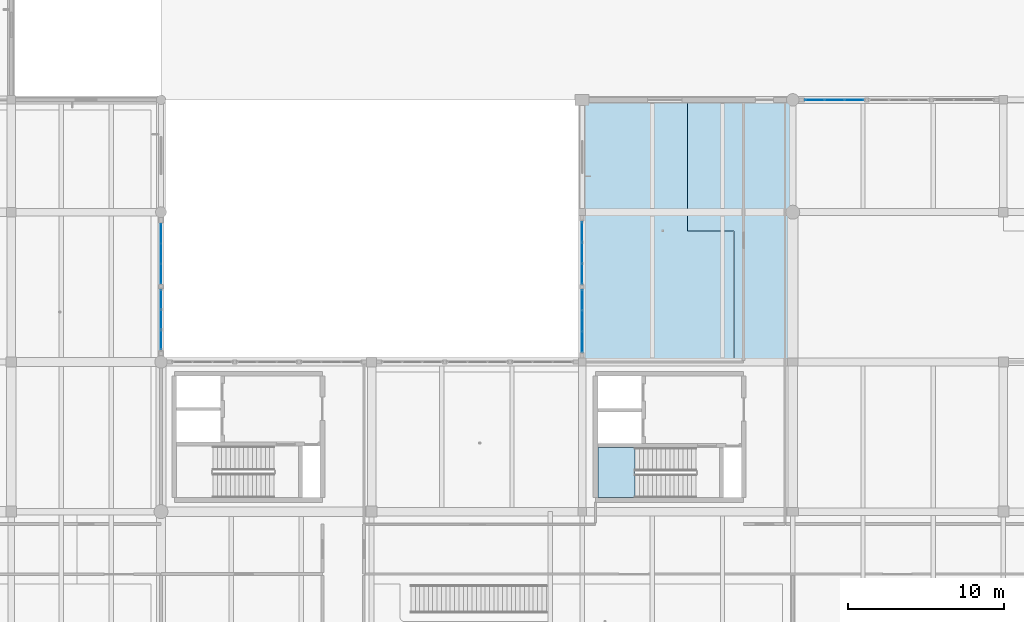
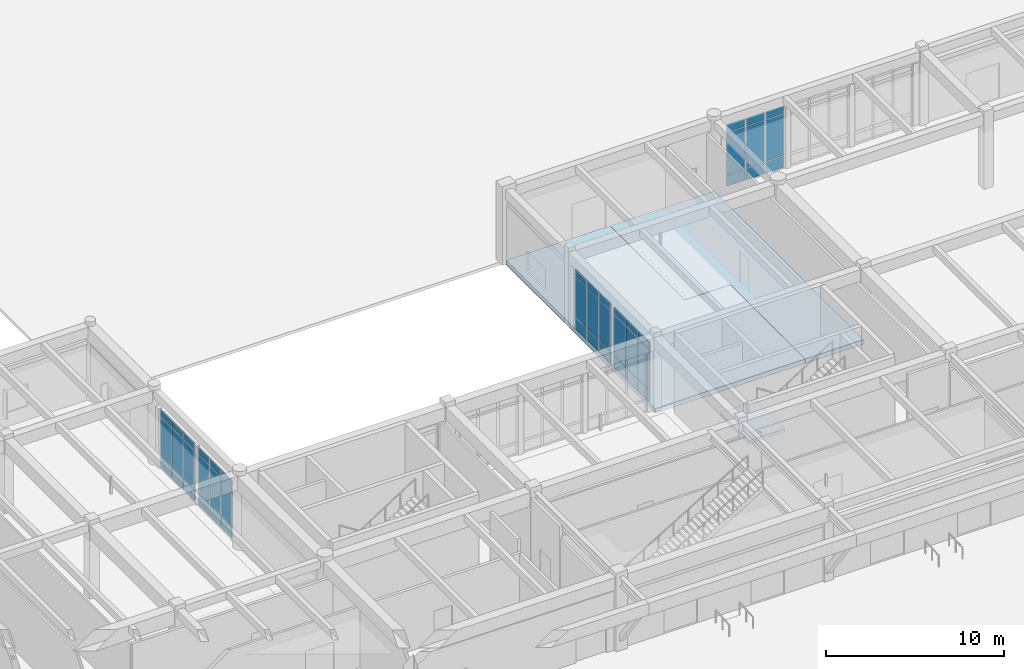
# One storey, part 89 of 138: 45 plates, 3 slabs, 6 elements without a shape of their own.
"""IFC4 building model written with IfcOpenShell, lengths in metres."""

from ifc_helpers import new_model, si_unit, direction, frame, origin, origin_2d, place, context, subcontext, project, spatial, polyline, rectangle, outline, extrude, material, layer, layer_set, type_object, element, aggregate, save


model = new_model("IFC4")

# Units and contexts
model_context = context("Model", 3, precision=1e-05, world=origin(), true_north=direction((0.0, 1.0)))
body_context = subcontext(model_context, "Body", "Model", "MODEL_VIEW")
ifc_project = project(units=[si_unit("LENGTHUNIT", "METRE"), si_unit("AREAUNIT", "SQUARE_METRE"), si_unit("VOLUMEUNIT", "CUBIC_METRE"), si_unit("PLANEANGLEUNIT", "RADIAN"), si_unit("MASSUNIT", "GRAM", prefix="KILO")], contexts=[model_context])

# Site, building, storey
site_placement = place(None, origin())
site = spatial("IfcSite", under=ifc_project, at=site_placement, CompositionType="ELEMENT")
building_placement = place(site_placement, origin())
building = spatial("IfcBuilding", under=site, at=building_placement, Name="Fikremerkos Civic Library", CompositionType="ELEMENT")
storey_placement = place(building_placement, origin())
storey = spatial("IfcBuildingStorey", under=building, at=storey_placement, Name="L00", CompositionType="ELEMENT", Elevation=0.0)

# Curtain wall, plates
ifc_material_1 = material(Name="Anodized aluminium Frame", Category="aluminium")
ifc_layer_1 = layer(ifc_material_1, 0.159912109375, Name="Anodized aluminium Frame")
ifc_layer_set_1 = layer_set([ifc_layer_1], Name="Anodized aluminium Frame")
curtain_wall_type_1 = type_object("IfcCurtainWallType", Name="Unitised curtain wall CW-05 3800x4100", PredefinedType="USERDEFINED", material=ifc_layer_set_1)
curtain_wall_1_placement = place(storey_placement, origin())
curtain_wall_1 = element("IfcCurtainWall", 1, at=curtain_wall_1_placement, inside=storey, type_object=curtain_wall_type_1, Name="Unitised curtain wall CW-05 L00 #5", ObjectType="UNITISED CURTAIN WALL", PredefinedType="USERDEFINED")
ifc_material_2 = material(Name="Solar control double glazing", Category="glass")
ifc_layer_2 = layer(ifc_material_2, 0.028076171875, Name="Solar control double glazing")
ifc_layer_set_2 = layer_set([ifc_layer_2], Name="Solar control double glazing")
plate_type_1 = type_object("IfcPlateType", Name="Curtain glazing panel CWP-01 28", PredefinedType="CURTAIN_PANEL", material=ifc_layer_set_2)
plate_1_placement = place(storey_placement, frame((19.199951171875, 35.204345703125, 0.06005859375), z_axis=(0.0, 0.0, 1.0), x_axis=(0.0, -1.0, 0.0)))
plate_1 = element("IfcPlate", 2, at=plate_1_placement, type_object=plate_type_1, Name="CW-05 panel 1.1", PredefinedType="CURTAIN_PANEL", context=body_context, shape_type="SweptSolid", body=[
    extrude(rectangle(XDim=1.21142578125, YDim=0.028076171875, at=origin_2d()), origin(), (0.0, 0.0, 1.0), 0.760009765625),
])
plate_2_placement = place(storey_placement, frame((19.199951171875, 35.204345703125, 0.8798828125), z_axis=(0.0, 0.0, 1.0), x_axis=(0.0, -1.0, 0.0)))
plate_2 = element("IfcPlate", 3, at=plate_2_placement, type_object=plate_type_1, Name="CW-05 panel 1.2", PredefinedType="CURTAIN_PANEL", context=body_context, shape_type="SweptSolid", body=[
    extrude(rectangle(XDim=1.21142578125, YDim=0.028076171875, at=origin_2d()), origin(), (0.0, 0.0, 1.0), 2.610107421875),
])
plate_3_placement = place(storey_placement, frame((19.199951171875, 35.204345703125, 3.550048828125), z_axis=(0.0, 0.0, 1.0), x_axis=(0.0, -1.0, 0.0)))
plate_3 = element("IfcPlate", 4, at=plate_3_placement, type_object=plate_type_1, Name="CW-05 panel 1.3", PredefinedType="CURTAIN_PANEL", context=body_context, shape_type="SweptSolid", body=[
    extrude(rectangle(XDim=1.21142578125, YDim=0.028076171875, at=origin_2d()), origin(), (0.0, 0.0, 1.0), 0.4599609375),
])
plate_4_placement = place(storey_placement, frame((19.199951171875, 33.91162109375, 0.06005859375), z_axis=(0.0, 0.0, 1.0), x_axis=(0.0, -1.0, 0.0)))
plate_4 = element("IfcPlate", 5, at=plate_4_placement, type_object=plate_type_1, Name="CW-05 panel 2.1", PredefinedType="CURTAIN_PANEL", context=body_context, shape_type="SweptSolid", body=[
    extrude(rectangle(XDim=1.243896484375, YDim=0.028076171875, at=origin_2d()), origin(), (0.0, 0.0, 1.0), 0.760009765625),
])
plate_5_placement = place(storey_placement, frame((19.199951171875, 33.91162109375, 0.8798828125), z_axis=(0.0, 0.0, 1.0), x_axis=(0.0, -1.0, 0.0)))
plate_5 = element("IfcPlate", 6, at=plate_5_placement, type_object=plate_type_1, Name="CW-05 panel 2.2", PredefinedType="CURTAIN_PANEL", context=body_context, shape_type="SweptSolid", body=[
    extrude(rectangle(XDim=1.243896484375, YDim=0.028076171875, at=origin_2d()), origin(), (0.0, 0.0, 1.0), 2.610107421875),
])
plate_6_placement = place(storey_placement, frame((19.199951171875, 33.91162109375, 3.550048828125), z_axis=(0.0, 0.0, 1.0), x_axis=(0.0, -1.0, 0.0)))
plate_6 = element("IfcPlate", 7, at=plate_6_placement, type_object=plate_type_1, Name="CW-05 panel 2.3", PredefinedType="CURTAIN_PANEL", context=body_context, shape_type="SweptSolid", body=[
    extrude(rectangle(XDim=1.243896484375, YDim=0.028076171875, at=origin_2d()), origin(), (0.0, 0.0, 1.0), 0.4599609375),
])
plate_7_placement = place(storey_placement, frame((19.199951171875, 32.61865234375, 0.06005859375), z_axis=(0.0, 0.0, 1.0), x_axis=(0.0, -1.0, 0.0)))
plate_7 = element("IfcPlate", 8, at=plate_7_placement, type_object=plate_type_1, Name="CW-05 panel 3.1", PredefinedType="CURTAIN_PANEL", context=body_context, shape_type="SweptSolid", body=[
    extrude(rectangle(XDim=1.21142578125, YDim=0.028076171875, at=origin_2d()), origin(), (0.0, 0.0, 1.0), 0.760009765625),
])
plate_8_placement = place(storey_placement, frame((19.199951171875, 32.61865234375, 0.8798828125), z_axis=(0.0, 0.0, 1.0), x_axis=(0.0, -1.0, 0.0)))
plate_8 = element("IfcPlate", 9, at=plate_8_placement, type_object=plate_type_1, Name="CW-05 panel 3.2", PredefinedType="CURTAIN_PANEL", context=body_context, shape_type="SweptSolid", body=[
    extrude(rectangle(XDim=1.21142578125, YDim=0.028076171875, at=origin_2d()), origin(), (0.0, 0.0, 1.0), 2.610107421875),
])
plate_9_placement = place(storey_placement, frame((19.199951171875, 32.61865234375, 3.550048828125), z_axis=(0.0, 0.0, 1.0), x_axis=(0.0, -1.0, 0.0)))
plate_9 = element("IfcPlate", 10, at=plate_9_placement, type_object=plate_type_1, Name="CW-05 panel 3.3", PredefinedType="CURTAIN_PANEL", context=body_context, shape_type="SweptSolid", body=[
    extrude(rectangle(XDim=1.21142578125, YDim=0.028076171875, at=origin_2d()), origin(), (0.0, 0.0, 1.0), 0.4599609375),
])
aggregate(curtain_wall_1, [plate_1, plate_2, plate_3, plate_4, plate_5, plate_6, plate_7, plate_8, plate_9])

ifc_layer_3 = layer(ifc_material_1, 0.159912109375, Name="Anodized aluminium Frame")
ifc_layer_set_3 = layer_set([ifc_layer_3], Name="Anodized aluminium Frame")
curtain_wall_type_2 = type_object("IfcCurtainWallType", Name="Unitised curtain wall CW-13 3700x3200", PredefinedType="USERDEFINED", material=ifc_layer_set_3)
curtain_wall_2_placement = place(storey_placement, origin())
curtain_wall_2 = element("IfcCurtainWall", 11, at=curtain_wall_2_placement, inside=storey, type_object=curtain_wall_type_2, Name="Unitised curtain wall CW-13 L00 #13", ObjectType="UNITISED CURTAIN WALL", PredefinedType="USERDEFINED")
plate_10_placement = place(storey_placement, frame((46.199951171875, 36.856201171875, 0.06005859375), z_axis=(0.0, 0.0, 1.0), x_axis=(0.0, 1.0, 0.0)))
plate_10 = element("IfcPlate", 12, at=plate_10_placement, type_object=plate_type_1, Name="CW-13 panel 1.1", PredefinedType="CURTAIN_PANEL", context=body_context, shape_type="SweptSolid", body=[
    extrude(rectangle(XDim=1.25732421875, YDim=0.028076171875, at=origin_2d()), origin(), (0.0, 0.0, 1.0), 0.760009765625),
])
plate_11_placement = place(storey_placement, frame((46.199951171875, 36.856201171875, 0.8798828125), z_axis=(0.0, 0.0, 1.0), x_axis=(0.0, 1.0, 0.0)))
plate_11 = element("IfcPlate", 13, at=plate_11_placement, type_object=plate_type_1, Name="CW-13 panel 1.2", PredefinedType="CURTAIN_PANEL", context=body_context, shape_type="SweptSolid", body=[
    extrude(rectangle(XDim=1.25732421875, YDim=0.028076171875, at=origin_2d()), origin(), (0.0, 0.0, 1.0), 2.760009765625),
])
plate_12_placement = place(storey_placement, frame((46.199951171875, 36.856201171875, 3.699951171875), z_axis=(0.0, 0.0, 1.0), x_axis=(0.0, 1.0, 0.0)))
plate_12 = element("IfcPlate", 14, at=plate_12_placement, type_object=plate_type_1, Name="CW-13 panel 1.3", PredefinedType="CURTAIN_PANEL", context=body_context, shape_type="SweptSolid", body=[
    extrude(rectangle(XDim=1.25732421875, YDim=0.028076171875, at=origin_2d()), origin(), (0.0, 0.0, 1.0), 0.4599609375),
])
plate_13_placement = place(storey_placement, frame((46.199951171875, 38.19482421875, 0.06005859375), z_axis=(0.0, 0.0, 1.0), x_axis=(0.0, 1.0, 0.0)))
plate_13 = element("IfcPlate", 15, at=plate_13_placement, type_object=plate_type_1, Name="CW-13 panel 2.1", PredefinedType="CURTAIN_PANEL", context=body_context, shape_type="SweptSolid", body=[
    extrude(rectangle(XDim=1.289794921875, YDim=0.028076171875, at=origin_2d()), origin(), (0.0, 0.0, 1.0), 0.760009765625),
])
plate_14_placement = place(storey_placement, frame((46.199951171875, 38.19482421875, 0.8798828125), z_axis=(0.0, 0.0, 1.0), x_axis=(0.0, 1.0, 0.0)))
plate_14 = element("IfcPlate", 16, at=plate_14_placement, type_object=plate_type_1, Name="CW-13 panel 2.2", PredefinedType="CURTAIN_PANEL", context=body_context, shape_type="SweptSolid", body=[
    extrude(rectangle(XDim=1.289794921875, YDim=0.028076171875, at=origin_2d()), origin(), (0.0, 0.0, 1.0), 2.760009765625),
])
plate_15_placement = place(storey_placement, frame((46.199951171875, 38.19482421875, 3.699951171875), z_axis=(0.0, 0.0, 1.0), x_axis=(0.0, 1.0, 0.0)))
plate_15 = element("IfcPlate", 17, at=plate_15_placement, type_object=plate_type_1, Name="CW-13 panel 2.3", PredefinedType="CURTAIN_PANEL", context=body_context, shape_type="SweptSolid", body=[
    extrude(rectangle(XDim=1.289794921875, YDim=0.028076171875, at=origin_2d()), origin(), (0.0, 0.0, 1.0), 0.4599609375),
])
plate_16_placement = place(storey_placement, frame((46.199951171875, 39.533447265625, 0.06005859375), z_axis=(0.0, 0.0, 1.0), x_axis=(0.0, 1.0, 0.0)))
plate_16 = element("IfcPlate", 18, at=plate_16_placement, type_object=plate_type_1, Name="CW-13 panel 3.1", PredefinedType="CURTAIN_PANEL", context=body_context, shape_type="SweptSolid", body=[
    extrude(rectangle(XDim=1.25732421875, YDim=0.028076171875, at=origin_2d()), origin(), (0.0, 0.0, 1.0), 0.760009765625),
])
plate_17_placement = place(storey_placement, frame((46.199951171875, 39.533447265625, 0.8798828125), z_axis=(0.0, 0.0, 1.0), x_axis=(0.0, 1.0, 0.0)))
plate_17 = element("IfcPlate", 19, at=plate_17_placement, type_object=plate_type_1, Name="CW-13 panel 3.2", PredefinedType="CURTAIN_PANEL", context=body_context, shape_type="SweptSolid", body=[
    extrude(rectangle(XDim=1.25732421875, YDim=0.028076171875, at=origin_2d()), origin(), (0.0, 0.0, 1.0), 2.760009765625),
])
plate_18_placement = place(storey_placement, frame((46.199951171875, 39.533447265625, 3.699951171875), z_axis=(0.0, 0.0, 1.0), x_axis=(0.0, 1.0, 0.0)))
plate_18 = element("IfcPlate", 20, at=plate_18_placement, type_object=plate_type_1, Name="CW-13 panel 3.3", PredefinedType="CURTAIN_PANEL", context=body_context, shape_type="SweptSolid", body=[
    extrude(rectangle(XDim=1.25732421875, YDim=0.028076171875, at=origin_2d()), origin(), (0.0, 0.0, 1.0), 0.4599609375),
])
aggregate(curtain_wall_2, [plate_10, plate_11, plate_12, plate_13, plate_14, plate_15, plate_16, plate_17, plate_18])

ifc_layer_4 = layer(ifc_material_1, 0.159912109375, Name="Anodized aluminium Frame")
ifc_layer_set_4 = layer_set([ifc_layer_4], Name="Anodized aluminium Frame")
curtain_wall_type_3 = type_object("IfcCurtainWallType", Name="Unitised curtain wall CW-14 4100x3200", PredefinedType="USERDEFINED", material=ifc_layer_set_4)
curtain_wall_3_placement = place(storey_placement, origin())
curtain_wall_3 = element("IfcCurtainWall", 21, at=curtain_wall_3_placement, inside=storey, type_object=curtain_wall_type_3, Name="Unitised curtain wall CW-14 L00 #14", ObjectType="UNITISED CURTAIN WALL", PredefinedType="USERDEFINED")
ifc_layer_5 = layer(ifc_material_2, 0.035888671875, Name="Solar control double glazing")
ifc_layer_set_5 = layer_set([ifc_layer_5], Name="Solar control double glazing")
plate_type_2 = type_object("IfcPlateType", Name="Curtain glazing panel CWP-02 36", PredefinedType="CURTAIN_PANEL", material=ifc_layer_set_5)
plate_19_placement = place(storey_placement, frame((61.103515625, 48.0, 0.06005859375), z_axis=(0.0, 0.0, 1.0), x_axis=(1.0, 0.0, 0.0)))
plate_19 = element("IfcPlate", 22, at=plate_19_placement, type_object=plate_type_2, Name="CW-14 panel 1.1", PredefinedType="CURTAIN_PANEL", context=body_context, shape_type="SweptSolid", body=[
    extrude(rectangle(XDim=1.19091796875, YDim=0.035888671875, at=origin_2d()), origin(), (0.0, 0.0, 1.0), 0.760009765625),
])
plate_20_placement = place(storey_placement, frame((61.103515625, 48.0, 0.8798828125), z_axis=(0.0, 0.0, 1.0), x_axis=(1.0, 0.0, 0.0)))
plate_20 = element("IfcPlate", 23, at=plate_20_placement, type_object=plate_type_2, Name="CW-14 panel 1.2", PredefinedType="CURTAIN_PANEL", context=body_context, shape_type="SweptSolid", body=[
    extrude(rectangle(XDim=1.19091796875, YDim=0.035888671875, at=origin_2d()), origin(), (0.0, 0.0, 1.0), 2.830078125),
])
plate_21_placement = place(storey_placement, frame((61.103515625, 48.0, 3.77001953125), z_axis=(0.0, 0.0, 1.0), x_axis=(1.0, 0.0, 0.0)))
plate_21 = element("IfcPlate", 24, at=plate_21_placement, type_object=plate_type_2, Name="CW-14 panel 1.3", PredefinedType="CURTAIN_PANEL", context=body_context, shape_type="SweptSolid", body=[
    extrude(rectangle(XDim=1.19091796875, YDim=0.035888671875, at=origin_2d()), origin(), (0.0, 0.0, 1.0), 0.4599609375),
])
plate_22_placement = place(storey_placement, frame((62.369384765625, 48.0, 0.06005859375), z_axis=(0.0, 0.0, 1.0), x_axis=(1.0, 0.0, 0.0)))
plate_22 = element("IfcPlate", 25, at=plate_22_placement, type_object=plate_type_2, Name="CW-14 panel 2.1", PredefinedType="CURTAIN_PANEL", context=body_context, shape_type="SweptSolid", body=[
    extrude(rectangle(XDim=1.220947265625, YDim=0.035888671875, at=origin_2d()), origin(), (0.0, 0.0, 1.0), 0.760009765625),
])
plate_23_placement = place(storey_placement, frame((62.369384765625, 48.0, 0.8798828125), z_axis=(0.0, 0.0, 1.0), x_axis=(1.0, 0.0, 0.0)))
plate_23 = element("IfcPlate", 26, at=plate_23_placement, type_object=plate_type_2, Name="CW-14 panel 2.2", PredefinedType="CURTAIN_PANEL", context=body_context, shape_type="SweptSolid", body=[
    extrude(rectangle(XDim=1.220947265625, YDim=0.035888671875, at=origin_2d()), origin(), (0.0, 0.0, 1.0), 2.830078125),
])
plate_24_placement = place(storey_placement, frame((62.369384765625, 48.0, 3.77001953125), z_axis=(0.0, 0.0, 1.0), x_axis=(1.0, 0.0, 0.0)))
plate_24 = element("IfcPlate", 27, at=plate_24_placement, type_object=plate_type_2, Name="CW-14 panel 2.3", PredefinedType="CURTAIN_PANEL", context=body_context, shape_type="SweptSolid", body=[
    extrude(rectangle(XDim=1.220947265625, YDim=0.035888671875, at=origin_2d()), origin(), (0.0, 0.0, 1.0), 0.4599609375),
])
plate_25_placement = place(storey_placement, frame((63.635498046875, 48.0, 0.06005859375), z_axis=(0.0, 0.0, 1.0), x_axis=(1.0, 0.0, 0.0)))
plate_25 = element("IfcPlate", 28, at=plate_25_placement, type_object=plate_type_2, Name="CW-14 panel 3.1", PredefinedType="CURTAIN_PANEL", context=body_context, shape_type="SweptSolid", body=[
    extrude(rectangle(XDim=1.19091796875, YDim=0.035888671875, at=origin_2d()), origin(), (0.0, 0.0, 1.0), 0.760009765625),
])
plate_26_placement = place(storey_placement, frame((63.635498046875, 48.0, 0.8798828125), z_axis=(0.0, 0.0, 1.0), x_axis=(1.0, 0.0, 0.0)))
plate_26 = element("IfcPlate", 29, at=plate_26_placement, type_object=plate_type_2, Name="CW-14 panel 3.2", PredefinedType="CURTAIN_PANEL", context=body_context, shape_type="SweptSolid", body=[
    extrude(rectangle(XDim=1.19091796875, YDim=0.035888671875, at=origin_2d()), origin(), (0.0, 0.0, 1.0), 2.830078125),
])
plate_27_placement = place(storey_placement, frame((63.635498046875, 48.0, 3.77001953125), z_axis=(0.0, 0.0, 1.0), x_axis=(1.0, 0.0, 0.0)))
plate_27 = element("IfcPlate", 30, at=plate_27_placement, type_object=plate_type_2, Name="CW-14 panel 3.3", PredefinedType="CURTAIN_PANEL", context=body_context, shape_type="SweptSolid", body=[
    extrude(rectangle(XDim=1.19091796875, YDim=0.035888671875, at=origin_2d()), origin(), (0.0, 0.0, 1.0), 0.4599609375),
])
aggregate(curtain_wall_3, [plate_19, plate_20, plate_21, plate_22, plate_23, plate_24, plate_25, plate_26, plate_27])

ifc_layer_6 = layer(ifc_material_1, 0.159912109375, Name="Anodized aluminium Frame")
ifc_layer_set_6 = layer_set([ifc_layer_6], Name="Anodized aluminium Frame")
curtain_wall_type_4 = type_object("IfcCurtainWallType", Name="Unitised curtain wall CW-04 3400x3600", PredefinedType="USERDEFINED", material=ifc_layer_set_6)
curtain_wall_4_placement = place(storey_placement, origin())
curtain_wall_4 = element("IfcCurtainWall", 31, at=curtain_wall_4_placement, inside=storey, type_object=curtain_wall_type_4, Name="Unitised curtain wall CW-04 L00 #4", ObjectType="UNITISED CURTAIN WALL", PredefinedType="USERDEFINED")
ifc_material_3 = material(Name="Insulated aluminium spandrel", Category="aluminium")
ifc_layer_7 = layer(ifc_material_3, 0.054931640625, Name="Insulated aluminium spandrel")
ifc_layer_set_7 = layer_set([ifc_layer_7], Name="Insulated aluminium spandrel")
plate_type_3 = type_object("IfcPlateType", Name="Curtain spandrel panel CSP-02 55", PredefinedType="CURTAIN_PANEL", material=ifc_layer_set_7)
plate_28_placement = place(storey_placement, frame((19.199951171875, 39.4326171875, 0.06494140625), z_axis=(0.0, 0.0, 1.0), x_axis=(0.0, -1.0, 0.0)))
plate_28 = element("IfcPlate", 32, at=plate_28_placement, type_object=plate_type_3, Name="CW-04 panel 1.1", PredefinedType="CURTAIN_PANEL", context=body_context, shape_type="SweptSolid", body=[
    extrude(rectangle(XDim=1.218994140625, YDim=0.054931640625, at=origin_2d()), origin(), (0.0, 0.0, 1.0), 0.75244140625),
])
plate_29_placement = place(storey_placement, frame((19.199951171875, 39.4326171875, 0.882568359375), z_axis=(0.0, 0.0, 1.0), x_axis=(0.0, -1.0, 0.0)))
plate_29 = element("IfcPlate", 33, at=plate_29_placement, type_object=plate_type_3, Name="CW-04 panel 1.2", PredefinedType="CURTAIN_PANEL", context=body_context, shape_type="SweptSolid", body=[
    extrude(rectangle(XDim=1.218994140625, YDim=0.054931640625, at=origin_2d()), origin(), (0.0, 0.0, 1.0), 2.60498046875),
])
plate_30_placement = place(storey_placement, frame((19.199951171875, 39.4326171875, 3.552734375), z_axis=(0.0, 0.0, 1.0), x_axis=(0.0, -1.0, 0.0)))
plate_30 = element("IfcPlate", 34, at=plate_30_placement, type_object=plate_type_3, Name="CW-04 panel 1.3", PredefinedType="CURTAIN_PANEL", context=body_context, shape_type="SweptSolid", body=[
    extrude(rectangle(XDim=1.218994140625, YDim=0.054931640625, at=origin_2d()), origin(), (0.0, 0.0, 1.0), 0.452392578125),
])
plate_31_placement = place(storey_placement, frame((19.199951171875, 38.138427734375, 0.06494140625), z_axis=(0.0, 0.0, 1.0), x_axis=(0.0, -1.0, 0.0)))
plate_31 = element("IfcPlate", 35, at=plate_31_placement, type_object=plate_type_3, Name="CW-04 panel 2.1", PredefinedType="CURTAIN_PANEL", context=body_context, shape_type="SweptSolid", body=[
    extrude(rectangle(XDim=1.2490234375, YDim=0.054931640625, at=origin_2d()), origin(), (0.0, 0.0, 1.0), 0.75244140625),
])
plate_32_placement = place(storey_placement, frame((19.199951171875, 38.138427734375, 0.882568359375), z_axis=(0.0, 0.0, 1.0), x_axis=(0.0, -1.0, 0.0)))
plate_32 = element("IfcPlate", 36, at=plate_32_placement, type_object=plate_type_3, Name="CW-04 panel 2.2", PredefinedType="CURTAIN_PANEL", context=body_context, shape_type="SweptSolid", body=[
    extrude(rectangle(XDim=1.2490234375, YDim=0.054931640625, at=origin_2d()), origin(), (0.0, 0.0, 1.0), 2.60498046875),
])
plate_33_placement = place(storey_placement, frame((19.199951171875, 38.138427734375, 3.552734375), z_axis=(0.0, 0.0, 1.0), x_axis=(0.0, -1.0, 0.0)))
plate_33 = element("IfcPlate", 37, at=plate_33_placement, type_object=plate_type_3, Name="CW-04 panel 2.3", PredefinedType="CURTAIN_PANEL", context=body_context, shape_type="SweptSolid", body=[
    extrude(rectangle(XDim=1.2490234375, YDim=0.054931640625, at=origin_2d()), origin(), (0.0, 0.0, 1.0), 0.452392578125),
])
plate_34_placement = place(storey_placement, frame((19.199951171875, 36.844482421875, 0.06494140625), z_axis=(0.0, 0.0, 1.0), x_axis=(0.0, -1.0, 0.0)))
plate_34 = element("IfcPlate", 38, at=plate_34_placement, type_object=plate_type_3, Name="CW-04 panel 3.1", PredefinedType="CURTAIN_PANEL", context=body_context, shape_type="SweptSolid", body=[
    extrude(rectangle(XDim=1.218994140625, YDim=0.054931640625, at=origin_2d()), origin(), (0.0, 0.0, 1.0), 0.75244140625),
])
plate_35_placement = place(storey_placement, frame((19.199951171875, 36.844482421875, 0.882568359375), z_axis=(0.0, 0.0, 1.0), x_axis=(0.0, -1.0, 0.0)))
plate_35 = element("IfcPlate", 39, at=plate_35_placement, type_object=plate_type_3, Name="CW-04 panel 3.2", PredefinedType="CURTAIN_PANEL", context=body_context, shape_type="SweptSolid", body=[
    extrude(rectangle(XDim=1.218994140625, YDim=0.054931640625, at=origin_2d()), origin(), (0.0, 0.0, 1.0), 2.60498046875),
])
plate_36_placement = place(storey_placement, frame((19.199951171875, 36.844482421875, 3.552734375), z_axis=(0.0, 0.0, 1.0), x_axis=(0.0, -1.0, 0.0)))
plate_36 = element("IfcPlate", 40, at=plate_36_placement, type_object=plate_type_3, Name="CW-04 panel 3.3", PredefinedType="CURTAIN_PANEL", context=body_context, shape_type="SweptSolid", body=[
    extrude(rectangle(XDim=1.218994140625, YDim=0.054931640625, at=origin_2d()), origin(), (0.0, 0.0, 1.0), 0.452392578125),
])
aggregate(curtain_wall_4, [plate_28, plate_29, plate_30, plate_31, plate_32, plate_33, plate_34, plate_35, plate_36])

ifc_layer_8 = layer(ifc_material_1, 0.159912109375, Name="Anodized aluminium Frame")
ifc_layer_set_8 = layer_set([ifc_layer_8], Name="Anodized aluminium Frame")
curtain_wall_type_5 = type_object("IfcCurtainWallType", Name="Unitised curtain wall CW-12 4300x3400", PredefinedType="USERDEFINED", material=ifc_layer_set_8)
curtain_wall_5_placement = place(storey_placement, origin())
curtain_wall_5 = element("IfcCurtainWall", 41, at=curtain_wall_5_placement, inside=storey, type_object=curtain_wall_type_5, Name="Unitised curtain wall CW-12 L00 #12", ObjectType="UNITISED CURTAIN WALL", PredefinedType="USERDEFINED")
plate_37_placement = place(storey_placement, frame((46.199951171875, 32.490478515625, 0.06494140625), z_axis=(0.0, 0.0, 1.0), x_axis=(0.0, 1.0, 0.0)))
plate_37 = element("IfcPlate", 42, at=plate_37_placement, type_object=plate_type_3, Name="CW-12 panel 1.1", PredefinedType="CURTAIN_PANEL", context=body_context, shape_type="SweptSolid", body=[
    extrude(rectangle(XDim=1.264892578125, YDim=0.054931640625, at=origin_2d()), origin(), (0.0, 0.0, 1.0), 0.75244140625),
])
plate_38_placement = place(storey_placement, frame((46.199951171875, 32.490478515625, 0.882568359375), z_axis=(0.0, 0.0, 1.0), x_axis=(0.0, 1.0, 0.0)))
plate_38 = element("IfcPlate", 43, at=plate_38_placement, type_object=plate_type_3, Name="CW-12 panel 1.2", PredefinedType="CURTAIN_PANEL", context=body_context, shape_type="SweptSolid", body=[
    extrude(rectangle(XDim=1.264892578125, YDim=0.054931640625, at=origin_2d()), origin(), (0.0, 0.0, 1.0), 2.7548828125),
])
plate_39_placement = place(storey_placement, frame((46.199951171875, 32.490478515625, 3.70263671875), z_axis=(0.0, 0.0, 1.0), x_axis=(0.0, 1.0, 0.0)))
plate_39 = element("IfcPlate", 44, at=plate_39_placement, type_object=plate_type_3, Name="CW-12 panel 1.3", PredefinedType="CURTAIN_PANEL", context=body_context, shape_type="SweptSolid", body=[
    extrude(rectangle(XDim=1.264892578125, YDim=0.054931640625, at=origin_2d()), origin(), (0.0, 0.0, 1.0), 0.452392578125),
])
plate_40_placement = place(storey_placement, frame((46.199951171875, 33.830322265625, 0.06494140625), z_axis=(0.0, 0.0, 1.0), x_axis=(0.0, 1.0, 0.0)))
plate_40 = element("IfcPlate", 45, at=plate_40_placement, type_object=plate_type_3, Name="CW-12 panel 2.1", PredefinedType="CURTAIN_PANEL", context=body_context, shape_type="SweptSolid", body=[
    extrude(rectangle(XDim=1.294921875, YDim=0.054931640625, at=origin_2d()), origin(), (0.0, 0.0, 1.0), 0.75244140625),
])
plate_41_placement = place(storey_placement, frame((46.199951171875, 33.830322265625, 0.882568359375), z_axis=(0.0, 0.0, 1.0), x_axis=(0.0, 1.0, 0.0)))
plate_41 = element("IfcPlate", 46, at=plate_41_placement, type_object=plate_type_3, Name="CW-12 panel 2.2", PredefinedType="CURTAIN_PANEL", context=body_context, shape_type="SweptSolid", body=[
    extrude(rectangle(XDim=1.294921875, YDim=0.054931640625, at=origin_2d()), origin(), (0.0, 0.0, 1.0), 2.7548828125),
])
plate_42_placement = place(storey_placement, frame((46.199951171875, 33.830322265625, 3.70263671875), z_axis=(0.0, 0.0, 1.0), x_axis=(0.0, 1.0, 0.0)))
plate_42 = element("IfcPlate", 47, at=plate_42_placement, type_object=plate_type_3, Name="CW-12 panel 2.3", PredefinedType="CURTAIN_PANEL", context=body_context, shape_type="SweptSolid", body=[
    extrude(rectangle(XDim=1.294921875, YDim=0.054931640625, at=origin_2d()), origin(), (0.0, 0.0, 1.0), 0.452392578125),
])
plate_43_placement = place(storey_placement, frame((46.199951171875, 35.170166015625, 0.06494140625), z_axis=(0.0, 0.0, 1.0), x_axis=(0.0, 1.0, 0.0)))
plate_43 = element("IfcPlate", 48, at=plate_43_placement, type_object=plate_type_3, Name="CW-12 panel 3.1", PredefinedType="CURTAIN_PANEL", context=body_context, shape_type="SweptSolid", body=[
    extrude(rectangle(XDim=1.264892578125, YDim=0.054931640625, at=origin_2d()), origin(), (0.0, 0.0, 1.0), 0.75244140625),
])
plate_44_placement = place(storey_placement, frame((46.199951171875, 35.170166015625, 0.882568359375), z_axis=(0.0, 0.0, 1.0), x_axis=(0.0, 1.0, 0.0)))
plate_44 = element("IfcPlate", 49, at=plate_44_placement, type_object=plate_type_3, Name="CW-12 panel 3.2", PredefinedType="CURTAIN_PANEL", context=body_context, shape_type="SweptSolid", body=[
    extrude(rectangle(XDim=1.264892578125, YDim=0.054931640625, at=origin_2d()), origin(), (0.0, 0.0, 1.0), 2.7548828125),
])
plate_45_placement = place(storey_placement, frame((46.199951171875, 35.170166015625, 3.70263671875), z_axis=(0.0, 0.0, 1.0), x_axis=(0.0, 1.0, 0.0)))
plate_45 = element("IfcPlate", 50, at=plate_45_placement, type_object=plate_type_3, Name="CW-12 panel 3.3", PredefinedType="CURTAIN_PANEL", context=body_context, shape_type="SweptSolid", body=[
    extrude(rectangle(XDim=1.264892578125, YDim=0.054931640625, at=origin_2d()), origin(), (0.0, 0.0, 1.0), 0.452392578125),
])
aggregate(curtain_wall_5, [plate_37, plate_38, plate_39, plate_40, plate_41, plate_42, plate_43, plate_44, plate_45])

# Stair, slab
ifc_material_4 = material(Name="Concrete C40/50", Category="concrete")
stair_type = type_object("IfcStairType", Name="Half turn stair ST-HT-05 W1500 H5400", PredefinedType="HALF_TURN_STAIR", material=ifc_material_4)
stair_placement = place(storey_placement, origin())
stair = element("IfcStair", 51, at=stair_placement, inside=storey, type_object=stair_type, Name="L00 ST-K3", PredefinedType="HALF_TURN_STAIR")
ifc_layer_9 = layer(ifc_material_4, 0.199951171875, Name="Concrete C40/50")
ifc_layer_set_9 = layer_set([ifc_layer_9], Name="Concrete C40/50")
slab_type_1 = type_object("IfcSlabType", Name="Stair landing slab SLS-01 200", PredefinedType="LANDING", material=ifc_layer_set_9)
slab_1_placement = place(storey_placement, frame((0.0, 0.0, 2.5)))
slab_1 = element("IfcSlab", 52, at=slab_1_placement, type_object=slab_type_1, Name="ST-K3 landing 1", PredefinedType="LANDING", context=body_context, shape_type="SweptSolid", body=[
    extrude(outline(polyline([(49.580078125, 25.699951171875), (47.199951171875, 25.699951171875), (47.199951171875, 22.5), (49.580078125, 22.5), (49.580078125, 25.699951171875)])), origin(), (0.0, 0.0, 1.0), 0.199951171875),
])
aggregate(stair, [slab_1])

# Slabs
ifc_layer_10 = layer(ifc_material_4, 0.320068359375, Name="Concrete C40/50")
ifc_layer_set_10 = layer_set([ifc_layer_10], Name="Concrete C40/50")
slab_type_2 = type_object("IfcSlabType", Name="Suspended floor slab SFS-02 320", PredefinedType="FLOOR", material=ifc_layer_set_10)
slab_2_placement = place(storey_placement, frame((0.0, 0.0, -0.320068359375)))
element("IfcSlab", 53, at=slab_2_placement, inside=storey, type_object=slab_type_2, Name="Floor slab SFS-02 SLB-L00-V4-A-1L1", PredefinedType="FLOOR", context=body_context, shape_type="SweptSolid", body=[
    extrude(outline(polyline([(46.199951171875, 31.199951171875), (55.916015625, 31.199951171875), (55.916015625, 39.595947265625), (52.946044921875, 39.595947265625), (52.946044921875, 48.0), (46.199951171875, 48.0), (46.199951171875, 31.199951171875)])), origin(), (0.0, 0.0, 1.0), 0.320068359375),
])
slab_3_placement = place(storey_placement, frame((0.0, 0.0, -0.320068359375)))
element("IfcSlab", 54, at=slab_3_placement, inside=storey, type_object=slab_type_2, Name="Floor slab SFS-02 SLB-L00-V4-A-1L2", PredefinedType="FLOOR", context=body_context, shape_type="SweptSolid", body=[
    extrude(outline(polyline([(55.924072265625, 31.199951171875), (59.699951171875, 31.199951171875), (59.699951171875, 48.0), (52.9541015625, 48.0), (52.9541015625, 39.60400390625), (55.924072265625, 39.60400390625), (55.924072265625, 31.199951171875)])), origin(), (0.0, 0.0, 1.0), 0.320068359375),
])

save(model, "model.ifc")
